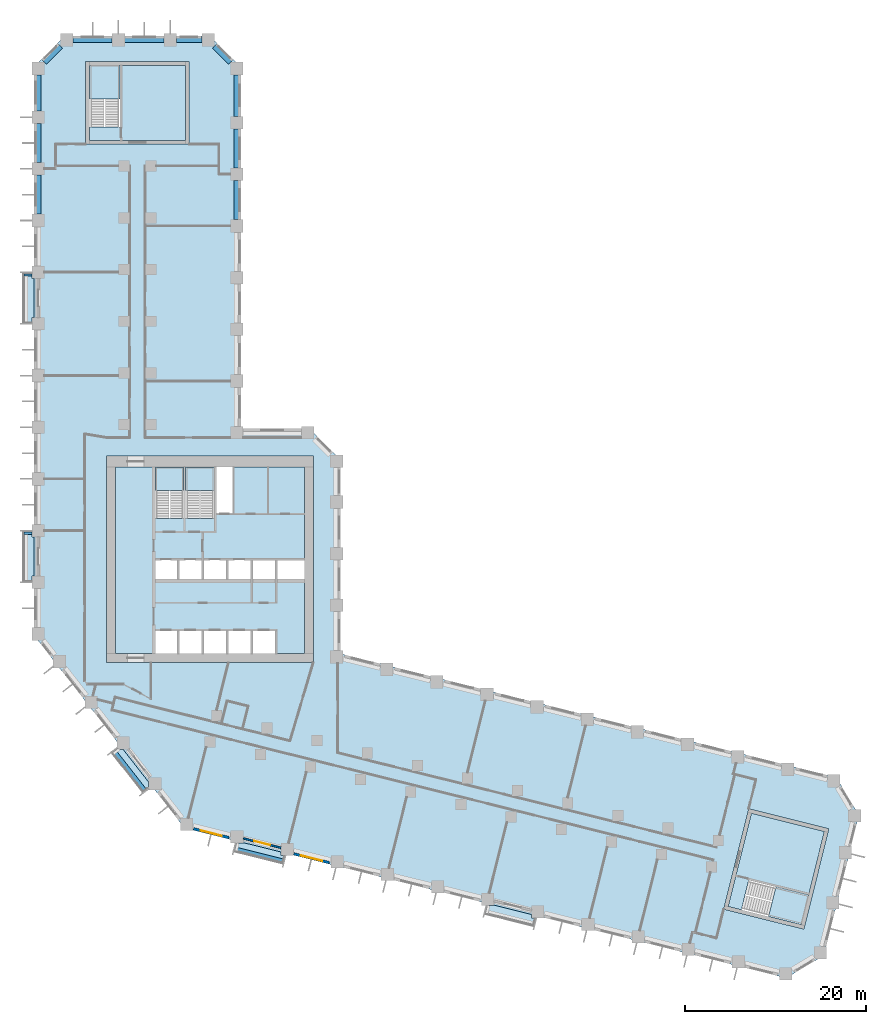
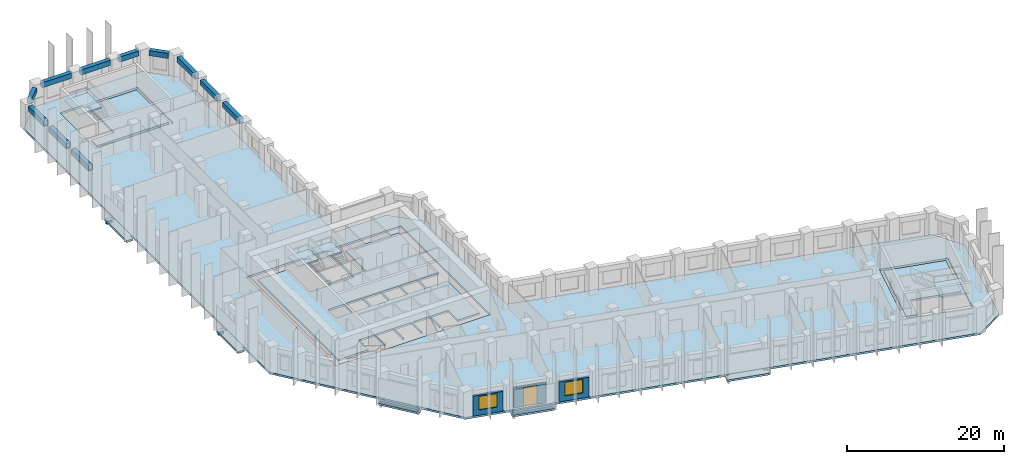
# One storey, part 2 of 12: 13 beams, 13 slabs, 5 walls, 2 windows, 1 door, 3 openings, 4 elements without a shape of their own.
"""IFC4 building model written with IfcOpenShell, lengths in metres."""

from ifc_helpers import new_model, si_unit, direction, frame, frame_2d, origin, origin_2d, place, context, subcontext, project, spatial, polyline, rectangle, outline, extrude, material, layer, layer_set, material_profile, profile_set, type_object, element, fill, aggregate, save


model = new_model("IFC4")

# Units and contexts
model_context = context("Model", 3, precision=1e-05, world=origin(), true_north=direction((0.0, 1.0)))
body_context = subcontext(model_context, "Body", "Model", "MODEL_VIEW")
ifc_project = project(units=[si_unit("LENGTHUNIT", "METRE"), si_unit("AREAUNIT", "SQUARE_METRE"), si_unit("VOLUMEUNIT", "CUBIC_METRE"), si_unit("PLANEANGLEUNIT", "RADIAN"), si_unit("MASSUNIT", "GRAM", prefix="KILO")], contexts=[model_context])

# Site, building, storey
site_placement = place(None, origin())
site = spatial("IfcSite", under=ifc_project, at=site_placement, CompositionType="ELEMENT")
building_placement = place(site_placement, origin())
building = spatial("IfcBuilding", under=site, at=building_placement, Name="Meshkara Civic Tower", CompositionType="ELEMENT")
storey_placement = place(building_placement, frame((0.0, 0.0, 83.39990234375)))
storey = spatial("IfcBuildingStorey", under=building, at=storey_placement, Name="L18", CompositionType="ELEMENT", Elevation=83.39990234375)

# Beams
ifc_material_1 = material(Name="Concrete C50", Category="concrete")
ifc_material_profile_1 = material_profile(ifc_material_1, rectangle(XDim=0.25, YDim=0.39990234375, at=origin_2d()))
ifc_profile_set_1 = profile_set([ifc_material_profile_1], Name="Concrete C50")
beam_type_1 = type_object("IfcBeamType", Name="Balcony bracket beam RC 250x400 C50", PredefinedType="BEAM", material=ifc_profile_set_1)
for number, where, z_axis, x_axis, name in (
    (1, (-0.2451171875, 56.85498046875, -0.5), (-1.0, 0.0, 0.0), (0.0, -1.0, 0.0), "Balcony bracket beam"),
    (2, (-0.2451171875, 28.35498046875, -0.5), (-1.0, 0.0, 0.0), (0.0, -1.0, 0.0), "Balcony bracket beam"),
):
    element("IfcBeam", number, at=place(storey_placement, frame(where, z_axis=z_axis, x_axis=x_axis)), inside=storey, type_object=beam_type_1, Name=name, PredefinedType="BEAM", context=body_context, shape_type="SweptSolid", body=[
        extrude(rectangle(XDim=0.25, YDim=0.39990234375, at=origin_2d()), origin(), (0.0, 0.0, 1.0), 0.85498046875),
    ])
ifc_material_2 = material(Name="Concrete C70", Category="concrete")
ifc_material_profile_2 = material_profile(ifc_material_2, rectangle(XDim=0.60009765625, YDim=0.800048828125, at=origin_2d()))
ifc_profile_set_2 = profile_set([ifc_material_profile_2], Name="Concrete C70")
beam_type_2 = type_object("IfcBeamType", Name="Spandrel beam RC 600x800 C70", PredefinedType="BEAM", material=ifc_profile_set_2)
beam_1_placement = place(storey_placement, frame((22.35009765625, 62.945068359375, 3.5), z_axis=(0.0, 1.0, 0.0), x_axis=(-1.0, 0.0, 0.0)))
element("IfcBeam", 3, at=beam_1_placement, inside=storey, type_object=beam_type_2, Name="Spandrel beam AE04-AE05", PredefinedType="BEAM", context=body_context, shape_type="SweptSolid", body=[
    extrude(rectangle(XDim=0.60009765625, YDim=0.800048828125, at=origin_2d()), origin(), (0.0, 0.0, 1.0), 4.309814453125),
])
beam_2_placement = place(storey_placement, frame((22.35009765625, 68.64501953125, 3.5), z_axis=(0.0, 1.0, 0.0), x_axis=(-1.0, 0.0, 0.0)))
element("IfcBeam", 4, at=beam_2_placement, inside=storey, type_object=beam_type_2, Name="Spandrel beam AE05-AE06", PredefinedType="BEAM", context=body_context, shape_type="SweptSolid", body=[
    extrude(rectangle(XDim=0.60009765625, YDim=0.800048828125, at=origin_2d()), origin(), (0.0, 0.0, 1.0), 4.31005859375),
])
beam_3_placement = place(storey_placement, frame((22.35009765625, 74.344970703125, 3.5), z_axis=(0.0, 1.0, 0.0), x_axis=(-1.0, 0.0, 0.0)))
element("IfcBeam", 5, at=beam_3_placement, inside=storey, type_object=beam_type_2, Name="Spandrel beam AE06-AEE", PredefinedType="BEAM", context=body_context, shape_type="SweptSolid", body=[
    extrude(rectangle(XDim=0.60009765625, YDim=0.800048828125, at=origin_2d()), origin(), (0.0, 0.0, 1.0), 4.573974609375),
])
beam_4_placement = place(storey_placement, frame((21.653564453125, 80.310546875, 3.5), z_axis=(-0.707155737934, 0.70705782105, 0.0), x_axis=(-0.70705782105, -0.707155737934, 0.0)))
element("IfcBeam", 6, at=beam_4_placement, inside=storey, type_object=beam_type_2, Name="Spandrel beam AEE-ATiE", PredefinedType="BEAM", context=body_context, shape_type="SweptSolid", body=[
    extrude(rectangle(XDim=0.60009765625, YDim=0.800048828125, at=origin_2d()), origin(), (0.0, 0.0, 1.0), 2.493408203125),
])
beam_5_placement = place(storey_placement, frame((18.4990234375, 82.77001953125, 3.5), z_axis=(-1.0, 0.0, 0.0), x_axis=(0.0, -1.0, 0.0)))
element("IfcBeam", 7, at=beam_5_placement, inside=storey, type_object=beam_type_2, Name="Spandrel beam AT02-ATiE", PredefinedType="BEAM", context=body_context, shape_type="SweptSolid", body=[
    extrude(rectangle(XDim=0.60009765625, YDim=0.800048828125, at=origin_2d()), origin(), (0.0, 0.0, 1.0), 2.798095703125),
])
for number, where, z_axis, x_axis, name in (
    (8, (14.31103515625, 82.77001953125, 3.5), (-1.0, 0.0, 0.0), (0.0, -1.0, 0.0), "Spandrel beam AT01-AT02"),
    (9, (8.611083984375, 82.77001953125, 3.5), (-1.0, 0.0, 0.0), (0.0, -1.0, 0.0), "Spandrel beam AT00-AT01"),
):
    element("IfcBeam", number, at=place(storey_placement, frame(where, z_axis=z_axis, x_axis=x_axis)), inside=storey, type_object=beam_type_2, Name=name, PredefinedType="BEAM", context=body_context, shape_type="SweptSolid", body=[
        extrude(rectangle(XDim=0.60009765625, YDim=0.800048828125, at=origin_2d()), origin(), (0.0, 0.0, 1.0), 4.31005859375),
    ])
beam_6_placement = place(storey_placement, frame((2.909423828125, 82.073486328125, 3.5), z_axis=(-0.707106781187, -0.707106781187, 0.0), x_axis=(0.707106781187, -0.707106781187, 0.0)))
element("IfcBeam", 10, at=beam_6_placement, inside=storey, type_object=beam_type_2, Name="Spandrel beam AT00-ATo00", PredefinedType="BEAM", context=body_context, shape_type="SweptSolid", body=[
    extrude(rectangle(XDim=0.60009765625, YDim=0.800048828125, at=origin_2d()), origin(), (0.0, 0.0, 1.0), 2.4931640625),
])
beam_7_placement = place(storey_placement, frame((0.449951171875, 78.9189453125, 3.5), z_axis=(0.0, -1.0, 0.0), x_axis=(1.0, 0.0, 0.0)))
element("IfcBeam", 11, at=beam_7_placement, inside=storey, type_object=beam_type_2, Name="Spandrel beam ATo00-AW10", PredefinedType="BEAM", context=body_context, shape_type="SweptSolid", body=[
    extrude(rectangle(XDim=0.60009765625, YDim=0.800048828125, at=origin_2d()), origin(), (0.0, 0.0, 1.0), 3.968994140625),
])
for number, where, z_axis, x_axis, name in (
    (12, (0.449951171875, 73.56005859375, 3.5), (0.0, -1.0, 0.0), (1.0, 0.0, 0.0), "Spandrel beam AW09-AW10"),
    (13, (0.449951171875, 67.860107421875, 3.5), (0.0, -1.0, 0.0), (1.0, 0.0, 0.0), "Spandrel beam AW08-AW09"),
):
    element("IfcBeam", number, at=place(storey_placement, frame(where, z_axis=z_axis, x_axis=x_axis)), inside=storey, type_object=beam_type_2, Name=name, PredefinedType="BEAM", context=body_context, shape_type="SweptSolid", body=[
        extrude(rectangle(XDim=0.60009765625, YDim=0.800048828125, at=origin_2d()), origin(), (0.0, 0.0, 1.0), 4.31005859375),
    ])

# Slabs
ifc_material_3 = material(Name="Concrete C40", Category="concrete")
ifc_layer_1 = layer(ifc_material_3, 0.300048828125)
ifc_layer_set_1 = layer_set([ifc_layer_1], Name="BALCONY SLAB")
slab_type_1 = type_object("IfcSlabType", Name="BALCONY SLAB", PredefinedType="FLOOR", material=ifc_layer_set_1)
slab_1_placement = place(storey_placement, frame((0.0, 0.0, -0.2998046875)))
element("IfcSlab", 14, at=slab_1_placement, inside=storey, type_object=slab_type_1, Name="Balcony slab", PredefinedType="FLOOR", context=body_context, shape_type="SweptSolid", body=[
    extrude(outline(polyline([(-1.199951171875, 51.514892578125), (-1.199951171875, 57.094970703125), (-0.25, 57.094970703125), (-0.25, 56.455078125), (0.0, 56.455078125), (0.0, 52.155029296875), (-0.25, 52.155029296875), (-0.25, 51.514892578125), (-1.199951171875, 51.514892578125)])), origin(), (0.0, 0.0, 1.0), 0.2998046875),
])
slab_2_placement = place(storey_placement, frame((0.0, 0.0, -0.2998046875)))
element("IfcSlab", 15, at=slab_2_placement, inside=storey, type_object=slab_type_1, Name="Balcony slab", PredefinedType="FLOOR", context=body_context, shape_type="SweptSolid", body=[
    extrude(outline(polyline([(-1.199951171875, 23.014892578125), (-1.199951171875, 28.594970703125), (-0.25, 28.594970703125), (-0.25, 27.955078125), (0.0, 27.955078125), (0.0, 23.655029296875), (-0.25, 23.655029296875), (-0.25, 23.014892578125), (-1.199951171875, 23.014892578125)])), origin(), (0.0, 0.0, 1.0), 0.2998046875),
])
slab_3_placement = place(storey_placement, frame((0.0, 0.0, -0.2998046875)))
element("IfcSlab", 16, at=slab_3_placement, inside=storey, type_object=slab_type_1, Name="Balcony slab", PredefinedType="FLOOR", context=body_context, shape_type="SweptSolid", body=[
    extrude(outline(polyline([(12.0048828125, -0.215087890625), (8.570068359375, 4.181884765625), (9.133056640625, 4.6220703125), (9.133056640625, 4.544921875), (9.80908203125, 4.544921875), (12.64208984375, 0.9189453125), (12.64208984375, 0.282958984375), (12.0048828125, -0.215087890625)])), origin(), (0.0, 0.0, 1.0), 0.2998046875),
])
slab_4_placement = place(storey_placement, frame((0.0, 0.0, -0.2998046875)))
element("IfcSlab", 17, at=slab_4_placement, inside=storey, type_object=slab_type_1, Name="Balcony slab", PredefinedType="FLOOR", context=body_context, shape_type="SweptSolid", body=[
    extrude(outline(polyline([(27.455078125, -8.08203125), (22.041015625, -6.73193359375), (22.26904296875, -5.81689453125), (23.08203125, -5.81689453125), (23.08203125, -5.7548828125), (27.2119140625, -6.784912109375), (27.2119140625, -7.196044921875), (27.676025390625, -7.196044921875), (27.455078125, -8.08203125)])), origin(), (0.0, 0.0, 1.0), 0.2998046875),
])
slab_5_placement = place(storey_placement, frame((0.0, 0.0, -0.2998046875)))
element("IfcSlab", 18, at=slab_5_placement, inside=storey, type_object=slab_type_1, Name="Balcony slab", PredefinedType="FLOOR", context=body_context, shape_type="SweptSolid", body=[
    extrude(outline(polyline([(55.10888671875, -14.97705078125), (49.694091796875, -13.626953125), (49.922119140625, -12.7109375), (50.735107421875, -12.7109375), (50.735107421875, -12.64990234375), (54.865966796875, -13.679931640625), (54.865966796875, -14.090087890625), (55.330078125, -14.090087890625), (55.10888671875, -14.97705078125)])), origin(), (0.0, 0.0, 1.0), 0.2998046875),
])
ifc_material_4 = material(Name="Concrete C40/50", Category="concrete")
ifc_layer_2 = layer(ifc_material_4, 0.300048828125)
ifc_layer_set_2 = layer_set([ifc_layer_2], Name="Core floor slab 300 C40/50")
slab_type_2 = type_object("IfcSlabType", Name="Core floor slab 300 C40/50", PredefinedType="FLOOR", material=ifc_layer_set_2)
slab_6_placement = place(storey_placement, frame((0.0, 0.0, -0.2998046875)))
element("IfcSlab", 19, at=slab_6_placement, inside=storey, type_object=slab_type_2, Name="Core floor K", PredefinedType="FLOOR", context=body_context, shape_type="SweptSolid", body=[
    extrude(outline(polyline([(9.0, 35.699951171875), (13.39990234375, 35.699951171875), (13.39990234375, 30.00146484375), (16.5, 30.00146484375), (16.5, 35.699951171875), (16.699951171875, 35.699951171875), (16.699951171875, 30.00146484375), (19.89990234375, 30.00146484375), (19.89990234375, 35.699951171875), (20.10009765625, 35.699951171875), (20.10009765625, 30.574951171875), (21.925048828125, 30.574951171875), (21.925048828125, 35.699951171875), (29.800048828125, 35.699951171875), (29.800048828125, 25.39990234375), (26.800048828125, 25.39990234375), (26.800048828125, 23.300048828125), (29.800048828125, 23.300048828125), (29.800048828125, 15.10009765625), (26.60009765625, 15.10009765625), (26.60009765625, 17.60009765625), (24.10009765625, 17.60009765625), (24.10009765625, 15.10009765625), (23.89990234375, 15.10009765625), (23.89990234375, 17.60009765625), (21.39990234375, 17.60009765625), (21.39990234375, 15.10009765625), (21.199951171875, 15.10009765625), (21.199951171875, 17.60009765625), (18.699951171875, 17.60009765625), (18.699951171875, 15.10009765625), (18.5, 15.10009765625), (18.5, 17.60009765625), (16.0, 17.60009765625), (16.0, 15.10009765625), (15.800048828125, 15.10009765625), (15.800048828125, 17.60009765625), (13.39990234375, 17.60009765625), (13.39990234375, 15.10009765625), (9.0, 15.10009765625), (9.0, 35.699951171875)]), holes=[polyline([(13.39990234375, 25.39990234375), (13.39990234375, 23.300048828125), (15.800048828125, 23.300048828125), (15.800048828125, 25.39990234375), (13.39990234375, 25.39990234375)]), polyline([(18.5, 23.300048828125), (18.5, 25.39990234375), (16.0, 25.39990234375), (16.0, 23.300048828125), (18.5, 23.300048828125)]), polyline([(18.699951171875, 25.39990234375), (18.699951171875, 23.300048828125), (21.199951171875, 23.300048828125), (21.199951171875, 25.39990234375), (18.699951171875, 25.39990234375)]), polyline([(23.89990234375, 25.39990234375), (21.39990234375, 25.39990234375), (21.39990234375, 23.300048828125), (23.89990234375, 23.300048828125), (23.89990234375, 25.39990234375)]), polyline([(24.10009765625, 23.300048828125), (26.60009765625, 23.300048828125), (26.60009765625, 25.39990234375), (24.10009765625, 25.39990234375), (24.10009765625, 23.300048828125)])]), origin(), (0.0, 0.0, 1.0), 0.2998046875),
])
slab_7_placement = place(storey_placement, frame((0.0, 0.0, -0.2998046875)))
element("IfcSlab", 20, at=slab_7_placement, inside=storey, type_object=slab_type_2, Name="Core floor EA", PredefinedType="FLOOR", context=body_context, shape_type="SweptSolid", body=[
    extrude(outline(polyline([(16.699951171875, 71.669921875), (16.699951171875, 79.969970703125), (9.5, 79.969970703125), (9.5, 73.17138671875), (6.10009765625, 73.17138671875), (6.10009765625, 71.669921875), (16.699951171875, 71.669921875)])), origin(), (0.0, 0.0, 1.0), 0.2998046875),
])
slab_8_placement = place(storey_placement, frame((0.0, 0.0, -0.2998046875)))
element("IfcSlab", 21, at=slab_8_placement, inside=storey, type_object=slab_type_2, Name="Core floor EB", PredefinedType="FLOOR", context=body_context, shape_type="SweptSolid", body=[
    extrude(outline(polyline([(79.11181640625, -2.513671875), (87.165283203125, -4.521484375), (85.423583984375, -11.507568359375), (78.826904296875, -9.863037109375), (78.00439453125, -13.161865234375), (76.547607421875, -12.798583984375), (79.11181640625, -2.513671875)])), origin(), (0.0, 0.0, 1.0), 0.2998046875),
])

# Stair, slab
ifc_material_5 = material(Name="Precast concrete C40/50", Category="concrete")
stair_type_1 = type_object("IfcStairType", Name="Exit stair half-turn 24 risers precast", PredefinedType="HALF_TURN_STAIR", material=ifc_material_5)
stair_1_placement = place(storey_placement, origin())
stair_1 = element("IfcStair", 22, at=stair_1_placement, inside=storey, type_object=stair_type_1, Name="L18 exit stair 1", PredefinedType="HALF_TURN_STAIR")
ifc_material_6 = material(Name="Precast concrete C40/50", Category="concrete")
ifc_layer_3 = layer(ifc_material_6, 0.199951171875)
ifc_layer_set_3 = layer_set([ifc_layer_3], Name="Exit stair landing 200")
slab_type_3 = type_object("IfcSlabType", Name="Exit stair landing 200", PredefinedType="LANDING", material=ifc_layer_set_3)
slab_9_placement = place(storey_placement, frame((0.0, 0.0, 1.900146484375)))
slab_9 = element("IfcSlab", 23, at=slab_9_placement, type_object=slab_type_3, Name="ST1 landing 1", PredefinedType="LANDING", context=body_context, shape_type="SweptSolid", body=[
    extrude(outline(polyline([(16.5, 33.07861328125), (16.5, 35.699951171875), (13.39990234375, 35.699951171875), (13.39990234375, 33.07861328125), (16.5, 33.07861328125)])), origin(), (0.0, 0.0, 1.0), 0.199951171875),
])
aggregate(stair_1, [slab_9])

stair_2_placement = place(storey_placement, origin())
stair_2 = element("IfcStair", 24, at=stair_2_placement, inside=storey, type_object=stair_type_1, Name="L18 exit stair 2", PredefinedType="HALF_TURN_STAIR")
slab_10_placement = place(storey_placement, frame((0.0, 0.0, 1.900146484375)))
slab_10 = element("IfcSlab", 25, at=slab_10_placement, type_object=slab_type_3, Name="ST2 landing 1", PredefinedType="LANDING", context=body_context, shape_type="SweptSolid", body=[
    extrude(outline(polyline([(19.89990234375, 33.07861328125), (19.89990234375, 35.699951171875), (16.699951171875, 35.699951171875), (16.699951171875, 33.07861328125), (19.89990234375, 33.07861328125)])), origin(), (0.0, 0.0, 1.0), 0.199951171875),
])
aggregate(stair_2, [slab_10])

ifc_material_7 = material(Name="Precast concrete C40/50", Category="concrete")
stair_type_2 = type_object("IfcStairType", Name="Exit stair half-turn 24 risers 1500 precast", PredefinedType="HALF_TURN_STAIR", material=ifc_material_7)
stair_3_placement = place(storey_placement, origin())
stair_3 = element("IfcStair", 26, at=stair_3_placement, inside=storey, type_object=stair_type_2, Name="L18 exit stair A from B2", PredefinedType="HALF_TURN_STAIR")
slab_11_placement = place(storey_placement, frame((0.0, 0.0, 1.900146484375)))
slab_11 = element("IfcSlab", 27, at=slab_11_placement, type_object=slab_type_3, Name="ESA1 landing 1", PredefinedType="LANDING", context=body_context, shape_type="SweptSolid", body=[
    extrude(outline(polyline([(9.5, 76.24853515625), (9.5, 79.969970703125), (6.10009765625, 79.969970703125), (6.10009765625, 76.24853515625), (9.5, 76.24853515625)])), origin(), (0.0, 0.0, 1.0), 0.199951171875),
])
aggregate(stair_3, [slab_11])

stair_4_placement = place(storey_placement, origin())
stair_4 = element("IfcStair", 28, at=stair_4_placement, inside=storey, type_object=stair_type_2, Name="L18 exit stair B from B2", PredefinedType="HALF_TURN_STAIR")
slab_12_placement = place(storey_placement, frame((0.0, 0.0, 1.900146484375)))
slab_12 = element("IfcSlab", 29, at=slab_12_placement, type_object=slab_type_3, Name="ESB1 landing 1", PredefinedType="LANDING", context=body_context, shape_type="SweptSolid", body=[
    extrude(outline(polyline([(80.98974609375, -13.9072265625), (84.600830078125, -14.80810546875), (85.424072265625, -11.50830078125), (81.81298828125, -10.607421875), (80.98974609375, -13.9072265625)])), origin(), (0.0, 0.0, 1.0), 0.199951171875),
])
aggregate(stair_4, [slab_12])

# Slab
ifc_material_8 = material(Name="Concrete C50", Category="concrete")
ifc_layer_4 = layer(ifc_material_8, 0.300048828125)
ifc_layer_set_4 = layer_set([ifc_layer_4], Name="Post-tensioned flat slab 300 C50")
slab_type_4 = type_object("IfcSlabType", Name="Post-tensioned flat slab 300 C50", PredefinedType="FLOOR", material=ifc_layer_set_4)
slab_13_placement = place(storey_placement, frame((0.0, 0.0, -0.2998046875)))
element("IfcSlab", 30, at=slab_13_placement, inside=storey, type_object=slab_type_4, Name="Post-tensioned flat slab L18", PredefinedType="FLOOR", context=body_context, shape_type="SweptSolid", body=[
    extrude(outline(polyline([(87.10595703125, -18.193115234375), (82.9599609375, -20.68408203125), (16.592041015625, -4.136962890625), (0.0, 17.10009765625), (0.0, 79.800048828125), (3.419921875, 83.219970703125), (19.3798828125, 83.219970703125), (22.800048828125, 79.800048828125), (22.800048828125, 39.89990234375), (30.3798828125, 39.89990234375), (33.800048828125, 36.47998046875), (33.800048828125, 15.071044921875), (88.47607421875, 1.43798828125), (90.967041015625, -2.70703125), (87.10595703125, -18.193115234375)]), holes=[polyline([(84.89208984375, -15.2919921875), (87.64990234375, -4.22998046875), (78.821044921875, -2.029052734375), (76.06298828125, -13.090087890625), (84.89208984375, -15.2919921875)]), polyline([(8.0, 14.10009765625), (30.800048828125, 14.10009765625), (30.800048828125, 36.89990234375), (8.0, 36.89990234375), (8.0, 14.10009765625)]), polyline([(5.699951171875, 80.3701171875), (5.699951171875, 71.27001953125), (17.10009765625, 71.27001953125), (17.10009765625, 80.3701171875), (5.699951171875, 80.3701171875)])]), origin(), (0.0, 0.0, 1.0), 0.2998046875),
])

# Wall, opening, window
ifc_material_9 = material(Name="Insulated infill panel with bronze anodised aluminium cladding", Category="aluminium")
ifc_layer_5 = layer(ifc_material_9, 0.300048828125)
ifc_layer_set_5 = layer_set([ifc_layer_5], Name="EXTERNAL INFILL WALL 300")
wall_type_1 = type_object("IfcWallType", Name="EXTERNAL INFILL WALL 300", PredefinedType="SOLIDWALL", material=ifc_layer_set_5)
wall_1_placement = place(storey_placement, frame((17.60205078125, -4.23388671875, 0.0), z_axis=(0.0, 0.0, 1.0), x_axis=(0.970260773365, -0.242062040951, 0.0)))
wall_1 = element("IfcWall", 31, at=wall_1_placement, inside=storey, type_object=wall_type_1, Name="External wall", PredefinedType="SOLIDWALL", context=body_context, shape_type="SweptSolid", body=[
    extrude(rectangle(XDim=4.003173828125, YDim=0.300048828125, at=frame_2d((2.00146484375, 0.0))), origin(), (0.0, 0.0, 1.0), 3.10009765625),
])
opening_1_placement = place(wall_1_placement, frame((0.802001953125, 0.0, 0.800048828125)))
opening_1 = element("IfcOpeningElement", 32, at=opening_1_placement, cuts=wall_1, Name="Opening W7", PredefinedType="OPENING", context=body_context, shape_type="SweptSolid", body=[
    extrude(rectangle(XDim=2.39990234375, YDim=2.10009765625, at=frame_2d((1.199951171875, 1.050048828125))), frame((0.0, 0.159912109375, 0.0), z_axis=(0.0, -1.0, 0.0), x_axis=(1.0, 0.0, 0.0)), (0.0, 0.0, 1.0), 0.320068359375),
])
ifc_material_10 = material(Name="Tinted double glazing", Category="glass")
window_type = type_object("IfcWindowType", Name="WINDOW 2400x2100", PartitioningType="DOUBLE_PANEL_VERTICAL", PredefinedType="WINDOW", material=ifc_material_10)
window_1_placement = place(opening_1_placement, origin())
window_1 = element("IfcWindow", 33, at=window_1_placement, inside=storey, type_object=window_type, Name="Window", OverallHeight=2.10009765625, OverallWidth=2.39990234375, PartitioningType="DOUBLE_PANEL_VERTICAL", PredefinedType="WINDOW", context=body_context, shape_type="SweptSolid", body=[
    extrude(rectangle(XDim=2.39990234375, YDim=2.10009765625, at=frame_2d((1.199951171875, 1.050048828125))), frame((0.0, 0.030029296875, 0.0), z_axis=(0.0, -1.0, 0.0), x_axis=(1.0, 0.0, 0.0)), (0.0, 0.0, 1.0), 0.06005859375),
])
fill(opening_1, window_1)

wall_2_placement = place(storey_placement, frame((28.6630859375, -6.991943359375, 0.0), z_axis=(0.0, 0.0, 1.0), x_axis=(0.970318045095, -0.24183236211, 0.0)))
wall_2 = element("IfcWall", 34, at=wall_2_placement, inside=storey, type_object=wall_type_1, Name="External wall", PredefinedType="SOLIDWALL", context=body_context, shape_type="SweptSolid", body=[
    extrude(rectangle(XDim=4.0029296875, YDim=0.300048828125, at=frame_2d((2.00146484375, 0.0))), origin(), (0.0, 0.0, 1.0), 3.10009765625),
])
opening_2_placement = place(wall_2_placement, frame((0.802001953125, 0.0, 0.800048828125)))
opening_2 = element("IfcOpeningElement", 35, at=opening_2_placement, cuts=wall_2, Name="Opening W7", PredefinedType="OPENING", context=body_context, shape_type="SweptSolid", body=[
    extrude(rectangle(XDim=2.39990234375, YDim=2.10009765625, at=frame_2d((1.199951171875, 1.050048828125))), frame((0.0, 0.159912109375, 0.0), z_axis=(0.0, -1.0, 0.0), x_axis=(1.0, 0.0, 0.0)), (0.0, 0.0, 1.0), 0.320068359375),
])
window_2_placement = place(opening_2_placement, origin())
window_2 = element("IfcWindow", 36, at=window_2_placement, inside=storey, type_object=window_type, Name="Window", OverallHeight=2.10009765625, OverallWidth=2.39990234375, PartitioningType="DOUBLE_PANEL_VERTICAL", PredefinedType="WINDOW", context=body_context, shape_type="SweptSolid", body=[
    extrude(rectangle(XDim=2.39990234375, YDim=2.10009765625, at=frame_2d((1.199951171875, 1.050048828125))), frame((0.0, 0.030029296875, 0.0), z_axis=(0.0, -1.0, 0.0), x_axis=(1.0, 0.0, 0.0)), (0.0, 0.0, 1.0), 0.06005859375),
])
fill(opening_2, window_2)

# Wall, opening, door
ifc_material_11 = material(Name="Insulated infill panel with bronze anodised aluminium cladding", Category="aluminium")
ifc_layer_6 = layer(ifc_material_11, 0.199951171875)
ifc_layer_set_6 = layer_set([ifc_layer_6], Name="LOGGIA BACK WALL 200")
wall_type_2 = type_object("IfcWallType", Name="LOGGIA BACK WALL 200", PredefinedType="SOLIDWALL", material=ifc_layer_set_6)
wall_3_placement = place(storey_placement, frame((23.08203125, -5.291015625, 0.0), z_axis=(0.0, 0.0, 1.0), x_axis=(0.970277311249, -0.241995742265, 0.0)))
wall_3 = element("IfcWall", 37, at=wall_3_placement, inside=storey, type_object=wall_type_2, Name="Loggia wall", PredefinedType="SOLIDWALL", context=body_context, shape_type="SweptSolid", body=[
    extrude(rectangle(XDim=4.25634765625, YDim=0.199951171875, at=frame_2d((2.128173828125, 0.0))), origin(), (0.0, 0.0, 1.0), 3.10009765625),
])
opening_3_placement = place(wall_3_placement, frame((1.22802734375, 0.0, 0.0)))
opening_3 = element("IfcOpeningElement", 38, at=opening_3_placement, cuts=wall_3, Name="Opening L18-L004", PredefinedType="OPENING", context=body_context, shape_type="SweptSolid", body=[
    extrude(rectangle(XDim=1.800048828125, YDim=2.89990234375, at=frame_2d((0.89990234375, 1.449951171875))), frame((0.0, 0.10986328125, 0.0), z_axis=(0.0, -1.0, 0.0), x_axis=(1.0, 0.0, 0.0)), (0.0, 0.0, 1.0), 0.219970703125),
])
ifc_material_12 = material(Name="Tinted double glazing", Category="glass")
door_type = type_object("IfcDoorType", Name="LOGGIA DOOR 1800x2900", OperationType="DOUBLE_DOOR_SINGLE_SWING", PredefinedType="DOOR", material=ifc_material_12)
door_placement = place(opening_3_placement, origin())
door = element("IfcDoor", 39, at=door_placement, inside=storey, type_object=door_type, Name="L18-L004", OperationType="DOUBLE_DOOR_SINGLE_SWING", OverallHeight=2.89990234375, OverallWidth=1.800048828125, PredefinedType="DOOR", context=body_context, shape_type="SweptSolid", body=[
    extrude(rectangle(XDim=1.800048828125, YDim=2.89990234375, at=frame_2d((0.89990234375, 1.449951171875))), frame((0.0, 0.02490234375, 0.0), z_axis=(0.0, -1.0, 0.0), x_axis=(1.0, 0.0, 0.0)), (0.0, 0.0, 1.0), 0.050048828125),
])
fill(opening_3, door)

# Walls
ifc_material_13 = material(Name="Concrete C40", Category="concrete")
ifc_layer_7 = layer(ifc_material_13, 0.39990234375)
ifc_layer_set_7 = layer_set([ifc_layer_7], Name="PLANTER TRAY")
wall_type_3 = type_object("IfcWallType", Name="PLANTER TRAY", PredefinedType="SOLIDWALL", material=ifc_layer_set_7)
wall_4_placement = place(storey_placement, frame((8.889892578125, 4.2919921875, 0.0), z_axis=(0.0, 0.0, 1.0), x_axis=(0.615636085037, -0.788030590016, 0.0)))
element("IfcWall", 40, at=wall_4_placement, inside=storey, type_object=wall_type_3, Name="Planter", PredefinedType="SOLIDWALL", context=body_context, shape_type="SweptSolid", body=[
    extrude(rectangle(XDim=5.35888671875, YDim=0.39990234375, at=frame_2d((2.679443359375, 0.0))), origin(), (0.0, 0.0, 1.0), 0.300048828125),
])
wall_5_placement = place(storey_placement, frame((22.22509765625, -6.447998046875, 0.0), z_axis=(0.0, 0.0, 1.0), x_axis=(0.970268314528, -0.242031811592, 0.0)))
element("IfcWall", 41, at=wall_5_placement, inside=storey, type_object=wall_type_3, Name="Planter", PredefinedType="SOLIDWALL", context=body_context, shape_type="SweptSolid", body=[
    extrude(rectangle(XDim=5.359375, YDim=0.39990234375, at=frame_2d((2.6796875, 0.0))), origin(), (0.0, 0.0, 1.0), 0.300048828125),
])

save(model, "model.ifc")
